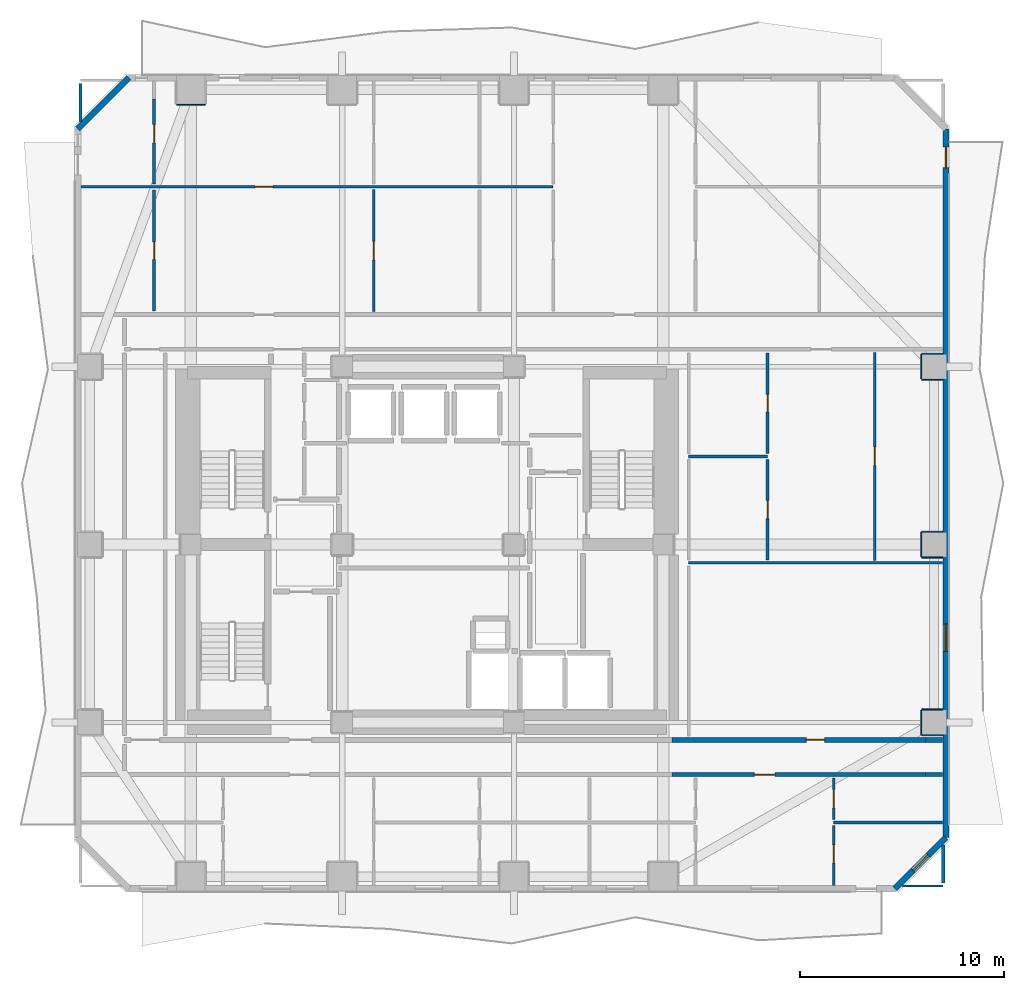
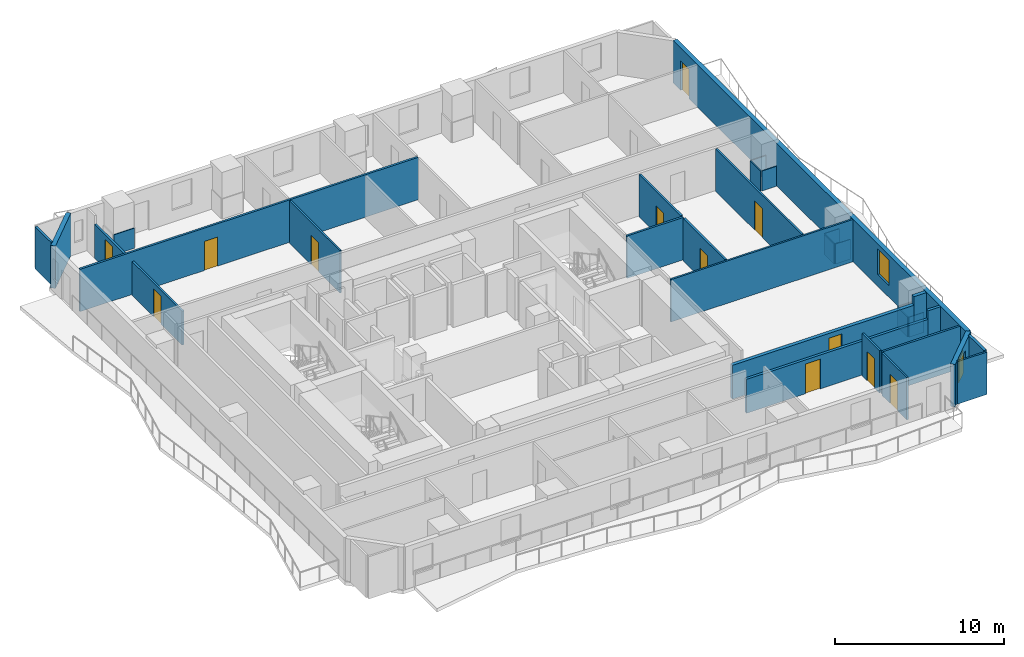
# One storey, part 5 of 11: 32 walls, 12 doors, 2 windows, 14 openings.
"""IFC4 building model written with IfcOpenShell, lengths in metres."""

from ifc_helpers import new_model, si_unit, direction, frame, frame_2d, origin, place, context, subcontext, project, spatial, rectangle, extrude, material, layer, layer_set, type_object, element, fill, save


model = new_model("IFC4")

# Units and contexts
model_context = context("Model", 3, precision=1e-05, world=origin(), true_north=direction((0.0, 1.0)))
body_context = subcontext(model_context, "Body", "Model", "MODEL_VIEW")
ifc_project = project(units=[si_unit("LENGTHUNIT", "METRE"), si_unit("AREAUNIT", "SQUARE_METRE"), si_unit("VOLUMEUNIT", "CUBIC_METRE"), si_unit("PLANEANGLEUNIT", "RADIAN"), si_unit("MASSUNIT", "GRAM", prefix="KILO")], contexts=[model_context])

# Site, building, storey
site_placement = place(None, origin())
site = spatial("IfcSite", under=ifc_project, at=site_placement, CompositionType="ELEMENT")
building_placement = place(site_placement, origin())
building = spatial("IfcBuilding", under=site, at=building_placement, Name="Solanera Arch Residences", CompositionType="ELEMENT")
storey_placement = place(building_placement, frame((0.0, 0.0, 71.800048828125)))
storey = spatial("IfcBuildingStorey", under=building, at=storey_placement, Name="L20", CompositionType="ELEMENT", Elevation=71.800048828125)

# Walls
ifc_material_1 = material(Name="Fire-Rated Gypsum Stud Partition", Category="gypsum")
ifc_layer_1 = layer(ifc_material_1, 0.06005859375)
ifc_layer_set_1 = layer_set([ifc_layer_1], Name="Fire-Rated Gypsum Stud Partition")
wall_type_1 = type_object("IfcWallType", Name="Column Acoustic Furring Wall 60", PredefinedType="PARTITIONING", material=ifc_layer_set_1)
wall_1_placement = place(storey_placement, frame((12.699951171875, 52.218017578125, 0.0), z_axis=(0.0, 0.0, 1.0), x_axis=(1.0, 0.0, 0.0)))
element("IfcWall", 1, at=wall_1_placement, inside=storey, type_object=wall_type_1, Name="L20 Column Furring 10S", PredefinedType="PARTITIONING", context=body_context, shape_type="SweptSolid", body=[
    extrude(rectangle(XDim=1.400146484375, YDim=0.06005859375, at=frame_2d((0.7001953125, 0.0))), origin(), (0.0, 0.0, 1.0), 1.449951171875),
])
for number, where, z_axis, x_axis, name in (
    (2, (49.14990234375, 21.367919921875, 0.0), (0.0, 0.0, 1.0), (1.0, 0.0, 0.0), "L20 Column Furring 18S"),
    (3, (49.14990234375, 22.632080078125, 0.0), (0.0, 0.0, 1.0), (1.0, 0.0, 0.0), "L20 Column Furring 18N"),
):
    element("IfcWall", number, at=place(storey_placement, frame(where, z_axis=z_axis, x_axis=x_axis)), inside=storey, type_object=wall_type_1, Name=name, PredefinedType="PARTITIONING", context=body_context, shape_type="SweptSolid", body=[
        extrude(rectangle(XDim=1.02001953125, YDim=0.06005859375, at=frame_2d((0.510009765625, 0.0))), origin(), (0.0, 0.0, 1.0), 1.449951171875),
    ])
wall_2_placement = place(storey_placement, frame((49.117919921875, 21.39990234375, 0.0), z_axis=(0.0, 0.0, 1.0), x_axis=(0.0, 1.0, 0.0)))
element("IfcWall", 4, at=wall_2_placement, inside=storey, type_object=wall_type_1, Name="L20 Column Furring 18W", PredefinedType="PARTITIONING", context=body_context, shape_type="SweptSolid", body=[
    extrude(rectangle(XDim=1.2001953125, YDim=0.06005859375, at=frame_2d((0.60009765625, 0.0))), origin(), (0.0, 0.0, 1.0), 1.449951171875),
])
for number, where, z_axis, x_axis, name in (
    (5, (49.14990234375, 30.068115234375, 0.0), (0.0, 0.0, 1.0), (1.0, 0.0, 0.0), "L20 Column Furring 20S"),
    (6, (49.14990234375, 31.33203125, 0.0), (0.0, 0.0, 1.0), (1.0, 0.0, 0.0), "L20 Column Furring 20N"),
):
    element("IfcWall", number, at=place(storey_placement, frame(where, z_axis=z_axis, x_axis=x_axis)), inside=storey, type_object=wall_type_1, Name=name, PredefinedType="PARTITIONING", context=body_context, shape_type="SweptSolid", body=[
        extrude(rectangle(XDim=1.02001953125, YDim=0.06005859375, at=frame_2d((0.510009765625, 0.0))), origin(), (0.0, 0.0, 1.0), 1.449951171875),
    ])
wall_3_placement = place(storey_placement, frame((49.117919921875, 30.10009765625, 0.0), z_axis=(0.0, 0.0, 1.0), x_axis=(0.0, 1.0, 0.0)))
element("IfcWall", 7, at=wall_3_placement, inside=storey, type_object=wall_type_1, Name="L20 Column Furring 20W", PredefinedType="PARTITIONING", context=body_context, shape_type="SweptSolid", body=[
    extrude(rectangle(XDim=1.199951171875, YDim=0.06005859375, at=frame_2d((0.60009765625, 0.0))), origin(), (0.0, 0.0, 1.0), 1.449951171875),
])
for number, where, z_axis, x_axis, name in (
    (8, (49.14990234375, 38.76806640625, 0.0), (0.0, 0.0, 1.0), (1.0, 0.0, 0.0), "L20 Column Furring 22S"),
    (9, (49.14990234375, 40.031982421875, 0.0), (0.0, 0.0, 1.0), (1.0, 0.0, 0.0), "L20 Column Furring 22N"),
):
    element("IfcWall", number, at=place(storey_placement, frame(where, z_axis=z_axis, x_axis=x_axis)), inside=storey, type_object=wall_type_1, Name=name, PredefinedType="PARTITIONING", context=body_context, shape_type="SweptSolid", body=[
        extrude(rectangle(XDim=1.02001953125, YDim=0.06005859375, at=frame_2d((0.510009765625, 0.0))), origin(), (0.0, 0.0, 1.0), 1.449951171875),
    ])
wall_4_placement = place(storey_placement, frame((49.117919921875, 38.800048828125, 0.0), z_axis=(0.0, 0.0, 1.0), x_axis=(0.0, 1.0, 0.0)))
element("IfcWall", 10, at=wall_4_placement, inside=storey, type_object=wall_type_1, Name="L20 Column Furring 22W", PredefinedType="PARTITIONING", context=body_context, shape_type="SweptSolid", body=[
    extrude(rectangle(XDim=1.199951171875, YDim=0.06005859375, at=frame_2d((0.60009765625, 0.0))), origin(), (0.0, 0.0, 1.0), 1.449951171875),
])

# Wall, opening, door
ifc_material_2 = material(Name="Autoclaved Aerated Concrete Blockwork", Category="masonry")
ifc_layer_2 = layer(ifc_material_2, 0.179931640625)
ifc_layer_set_2 = layer_set([ifc_layer_2], Name="Autoclaved Aerated Concrete Blockwork")
wall_type_2 = type_object("IfcWallType", Name="Corridor Fire Partition 180", PredefinedType="PARTITIONING", material=ifc_layer_set_2)
wall_5_placement = place(storey_placement, frame((36.928955078125, 19.449951171875, 0.0), z_axis=(0.0, 0.0, 1.0), x_axis=(1.0, 0.0, 0.0)))
wall_5 = element("IfcWall", 11, at=wall_5_placement, inside=storey, type_object=wall_type_2, Name="L20 Interior Partition H6 2", PredefinedType="PARTITIONING", context=body_context, shape_type="SweptSolid", body=[
    extrude(rectangle(XDim=12.39208984375, YDim=0.179931640625, at=frame_2d((6.196044921875, 0.0))), origin(), (0.0, 0.0, 1.0), 2.445068359375),
])
opening_1_placement = place(wall_5_placement, frame((4.031005859375, 0.0, 0.0)))
opening_1 = element("IfcOpeningElement", 12, at=opening_1_placement, cuts=wall_5, Name="Opening DI-01", PredefinedType="OPENING", context=body_context, shape_type="SweptSolid", body=[
    extrude(rectangle(XDim=1.0, YDim=2.14990234375, at=frame_2d((0.5, 1.074951171875))), frame((0.0, 0.10009765625, 0.0), z_axis=(0.0, -1.0, 0.0), x_axis=(1.0, 0.0, 0.0)), (0.0, 0.0, 1.0), 0.1999),
])
ifc_material_3 = material(Name="Fire-Rated Architectural Hardwood", Category="wood")
door_type_1 = type_object("IfcDoorType", Name="Unit Entrance Fire Door DI-01", OperationType="NOTDEFINED", PredefinedType="DOOR", material=ifc_material_3)
door_1_placement = place(opening_1_placement, origin())
door_1 = element("IfcDoor", 13, at=door_1_placement, inside=storey, type_object=door_type_1, Name="DR-L20-IN-020", OperationType="SINGLE_SWING_RIGHT", OverallHeight=2.14990234375, OverallWidth=1.0, PredefinedType="DOOR", context=body_context, shape_type="SweptSolid", body=[
    extrude(rectangle(XDim=1.0, YDim=2.14990234375, at=frame_2d((0.5, 1.074951171875))), frame((0.0, 0.02490234375, 0.0), z_axis=(0.0, -1.0, 0.0), x_axis=(1.0, 0.0, 0.0)), (0.0, 0.0, 1.0), 0.050048828125),
])
fill(opening_1, door_1)

# Walls
wall_6_placement = place(storey_placement, frame((49.321044921875, 19.449951171875, 0.0), z_axis=(0.0, 0.0, 1.0), x_axis=(1.0, 0.0, 0.0)))
element("IfcWall", 14, at=wall_6_placement, inside=storey, type_object=wall_type_2, Name="L20 Interior Partition H6 3", PredefinedType="PARTITIONING", context=body_context, shape_type="SweptSolid", body=[
    extrude(rectangle(XDim=0.85205078125, YDim=0.179931640625, at=frame_2d((0.426025390625, 0.0))), origin(), (0.0, 0.0, 1.0), 3.06005859375),
])
wall_7_placement = place(storey_placement, frame((50.199951171875, 14.157958984375, 0.0), z_axis=(0.0, 0.0, 1.0), x_axis=(0.0, 1.0, 0.0)))
element("IfcWall", 15, at=wall_7_placement, inside=storey, type_object=wall_type_2, Name="L20 Interior Partition V9 1", PredefinedType="PARTITIONING", context=body_context, shape_type="SweptSolid", body=[
    extrude(rectangle(XDim=1.843017578125, YDim=0.179931640625, at=frame_2d((0.92138671875, 0.0))), origin(), (0.0, 0.0, 1.0), 3.06005859375),
])
ifc_material_4 = material(Name="Precast Concrete C35/45", Category="concrete")
ifc_layer_3 = layer(ifc_material_4, 0.300048828125)
ifc_layer_set_3 = layer_set([ifc_layer_3], Name="Precast Concrete C35/45")
wall_type_3 = type_object("IfcWallType", Name="Exterior Wall Precast Masonry-Frame 300", PredefinedType="STANDARD", material=ifc_layer_set_3)
wall_8_placement = place(storey_placement, frame((7.864990234375, 51.034912109375, 0.0), z_axis=(0.0, 0.0, 1.0), x_axis=(0.707106781187, 0.707106781187, 0.0)))
element("IfcWall", 16, at=wall_8_placement, inside=storey, type_object=wall_type_3, Name="L20 Tower Exterior Precast Masonry-Frame Wall CH1", PredefinedType="STANDARD", context=body_context, shape_type="SweptSolid", body=[
    extrude(rectangle(XDim=3.53564453125, YDim=0.300048828125, at=frame_2d((1.767822265625, 0.0))), origin(), (0.0, 0.0, 1.0), 3.06005859375),
])

# Wall, openings, door, window
wall_9_placement = place(storey_placement, frame((50.3349609375, 51.034912109375, 0.0), z_axis=(0.0, 0.0, 1.0), x_axis=(0.0, -1.0, 0.0)))
wall_9 = element("IfcWall", 17, at=wall_9_placement, inside=storey, type_object=wall_type_3, Name="L20 Tower Exterior Precast Masonry-Frame Wall E", PredefinedType="STANDARD", context=body_context, shape_type="SweptSolid", body=[
    extrude(rectangle(XDim=34.669921875, YDim=0.300048828125, at=frame_2d((17.3349609375, 0.0))), origin(), (0.0, 0.0, 1.0), 3.06005859375),
])
opening_2_placement = place(wall_9_placement, frame((0.90087890625, 0.0, 0.0)))
opening_2 = element("IfcOpeningElement", 18, at=opening_2_placement, cuts=wall_9, Name="Opening DB-01", PredefinedType="OPENING", context=body_context, shape_type="SweptSolid", body=[
    extrude(rectangle(XDim=1.0, YDim=2.14990234375, at=frame_2d((0.5, 1.074951171875))), frame((0.0, 0.159912109375, 0.0), z_axis=(0.0, -1.0, 0.0), x_axis=(1.0, 0.0, 0.0)), (0.0, 0.0, 1.0), 0.32),
])
opening_3_placement = place(wall_9_placement, frame((24.2099609375, 0.0, 0.85009765625)))
opening_3 = element("IfcOpeningElement", 19, at=opening_3_placement, cuts=wall_9, Name="Opening W-10", PredefinedType="OPENING", context=body_context, shape_type="SweptSolid", body=[
    extrude(rectangle(XDim=1.35009765625, YDim=1.85009765625, at=frame_2d((0.675048828125, 0.925048828125))), frame((0.0, 0.159912109375, 0.0), z_axis=(0.0, -1.0, 0.0), x_axis=(1.0, 0.0, 0.0)), (0.0, 0.0, 1.0), 0.32),
])
ifc_material_5 = material(Name="Anodised Aluminium Alloy 6063-T6", Category="aluminium")
door_type_2 = type_object("IfcDoorType", Name="Glazed Balcony Swing Door DB-01", OperationType="NOTDEFINED", PredefinedType="DOOR", material=ifc_material_5)
door_2_placement = place(opening_2_placement, origin())
door_2 = element("IfcDoor", 20, at=door_2_placement, inside=storey, type_object=door_type_2, Name="DR-L20-OUT-03", OperationType="SINGLE_SWING_RIGHT", OverallHeight=2.14990234375, OverallWidth=1.0, PredefinedType="DOOR", context=body_context, shape_type="SweptSolid", body=[
    extrude(rectangle(XDim=1.0, YDim=2.14990234375, at=frame_2d((0.5, 1.074951171875))), frame((0.0, 0.02490234375, 0.0), z_axis=(0.0, -1.0, 0.0), x_axis=(1.0, 0.0, 0.0)), (0.0, 0.0, 1.0), 0.050048828125),
])
fill(opening_2, door_2)
ifc_material_6 = material(Name="Double Glazed Low-E Laminated Glass", Category="glass")
window_type_1 = type_object("IfcWindowType", Name="Punched Window W-10", PartitioningType="DOUBLE_PANEL_VERTICAL", PredefinedType="WINDOW", material=ifc_material_6)
window_1_placement = place(opening_3_placement, origin())
window_1 = element("IfcWindow", 21, at=window_1_placement, inside=storey, type_object=window_type_1, Name="L20 AMN-STDE Punched Window", OverallHeight=1.85009765625, OverallWidth=1.35009765625, PartitioningType="SINGLE_PANEL", PredefinedType="WINDOW", context=body_context, shape_type="SweptSolid", body=[
    extrude(rectangle(XDim=1.35009765625, YDim=1.85009765625, at=frame_2d((0.675048828125, 0.925048828125))), frame((0.0, 0.030029296875, 0.0), z_axis=(0.0, -1.0, 0.0), x_axis=(1.0, 0.0, 0.0)), (0.0, 0.0, 1.0), 0.06005859375),
])
fill(opening_3, window_1)

# Wall, opening, window
wall_10_placement = place(storey_placement, frame((50.3349609375, 16.364990234375, 0.0), z_axis=(0.0, 0.0, 1.0), x_axis=(-0.707106781187, -0.707106781187, 0.0)))
wall_10 = element("IfcWall", 22, at=wall_10_placement, inside=storey, type_object=wall_type_3, Name="L20 Tower Exterior Precast Masonry-Frame Wall CH5", PredefinedType="STANDARD", context=body_context, shape_type="SweptSolid", body=[
    extrude(rectangle(XDim=3.53564453125, YDim=0.300048828125, at=frame_2d((1.767822265625, 0.0))), origin(), (0.0, 0.0, 1.0), 3.06005859375),
])
opening_4_placement = place(wall_10_placement, frame((1.219970703125, 0.0, 0.85009765625)))
opening_4 = element("IfcOpeningElement", 23, at=opening_4_placement, cuts=wall_10, Name="Opening W-07", PredefinedType="OPENING", context=body_context, shape_type="SweptSolid", body=[
    extrude(rectangle(XDim=1.050048828125, YDim=1.64990234375, at=frame_2d((0.52490234375, 0.824951171875))), frame((0.0, 0.159912109375, 0.0), z_axis=(0.0, -1.0, 0.0), x_axis=(1.0, 0.0, 0.0)), (0.0, 0.0, 1.0), 0.32),
])
ifc_material_7 = material(Name="Double Glazed Low-E Laminated Glass", Category="glass")
window_type_2 = type_object("IfcWindowType", Name="Punched Window W-07", PartitioningType="SINGLE_PANEL", PredefinedType="WINDOW", material=ifc_material_7)
window_2_placement = place(opening_4_placement, origin())
window_2 = element("IfcWindow", 24, at=window_2_placement, inside=storey, type_object=window_type_2, Name="L20 2002-BR2 Corner Punched Window", OverallHeight=1.64990234375, OverallWidth=1.050048828125, PartitioningType="SINGLE_PANEL", PredefinedType="WINDOW", context=body_context, shape_type="SweptSolid", body=[
    extrude(rectangle(XDim=1.050048828125, YDim=1.64990234375, at=frame_2d((0.52490234375, 0.824951171875))), frame((0.0, 0.030029296875, 0.0), z_axis=(0.0, -1.0, 0.0), x_axis=(1.0, 0.0, 0.0)), (0.0, 0.0, 1.0), 0.06005859375),
])
fill(opening_4, window_2)

# Wall, opening, door
ifc_material_8 = material(Name="Autoclaved Aerated Concrete Blockwork", Category="masonry")
ifc_layer_4 = layer(ifc_material_8, 0.239990234375)
ifc_layer_set_4 = layer_set([ifc_layer_4], Name="Autoclaved Aerated Concrete Blockwork")
wall_type_4 = type_object("IfcWallType", Name="Shaft Wall Fire-Rated 240", PredefinedType="PARTITIONING", material=ifc_layer_set_4)
wall_11_placement = place(storey_placement, frame((36.928955078125, 21.14990234375, 0.0), z_axis=(0.0, 0.0, 1.0), x_axis=(1.0, 0.0, 0.0)))
wall_11 = element("IfcWall", 25, at=wall_11_placement, inside=storey, type_object=wall_type_4, Name="L20 Interior Partition H1 2", PredefinedType="PARTITIONING", context=body_context, shape_type="SweptSolid", body=[
    extrude(rectangle(XDim=12.39208984375, YDim=0.239990234375, at=frame_2d((6.196044921875, 0.0))), origin(), (0.0, 0.0, 1.0), 2.445068359375),
])
opening_5_placement = place(wall_11_placement, frame((6.572021484375, 0.0, 0.0)))
opening_5 = element("IfcOpeningElement", 26, at=opening_5_placement, cuts=wall_11, Name="Opening DI-02", PredefinedType="OPENING", context=body_context, shape_type="SweptSolid", body=[
    extrude(rectangle(XDim=0.89990234375, YDim=2.10009765625, at=frame_2d((0.449951171875, 1.050048828125))), frame((0.0, 0.1298828125, 0.0), z_axis=(0.0, -1.0, 0.0), x_axis=(1.0, 0.0, 0.0)), (0.0, 0.0, 1.0), 0.26),
])
ifc_material_9 = material(Name="Fire-Rated Architectural Hardwood", Category="wood")
door_type_3 = type_object("IfcDoorType", Name="Suite Room Swing Door DI-02", OperationType="NOTDEFINED", PredefinedType="DOOR", material=ifc_material_9)
door_3_placement = place(opening_5_placement, origin())
door_3 = element("IfcDoor", 27, at=door_3_placement, inside=storey, type_object=door_type_3, Name="DR-L20-IN-038", OperationType="SINGLE_SWING_RIGHT", OverallHeight=2.10009765625, OverallWidth=0.89990234375, PredefinedType="DOOR", context=body_context, shape_type="SweptSolid", body=[
    extrude(rectangle(XDim=0.89990234375, YDim=2.10009765625, at=frame_2d((0.449951171875, 1.050048828125))), frame((0.0, 0.02490234375, 0.0), z_axis=(0.0, -1.0, 0.0), x_axis=(1.0, 0.0, 0.0)), (0.0, 0.0, 1.0), 0.050048828125),
])
fill(opening_5, door_3)

# Walls
wall_12_placement = place(storey_placement, frame((49.321044921875, 21.14990234375, 0.0), z_axis=(0.0, 0.0, 1.0), x_axis=(1.0, 0.0, 0.0)))
element("IfcWall", 28, at=wall_12_placement, inside=storey, type_object=wall_type_4, Name="L20 Interior Partition H1 3", PredefinedType="PARTITIONING", context=body_context, shape_type="SweptSolid", body=[
    extrude(rectangle(XDim=0.85205078125, YDim=0.239990234375, at=frame_2d((0.426025390625, 0.0))), origin(), (0.0, 0.0, 1.0), 3.06005859375),
])
ifc_material_10 = material(Name="Fire-Rated Gypsum Stud Partition", Category="gypsum")
ifc_layer_5 = layer(ifc_material_10, 0.1201171875)
ifc_layer_set_5 = layer_set([ifc_layer_5], Name="Fire-Rated Gypsum Stud Partition")
wall_type_5 = type_object("IfcWallType", Name="Unit Drywall Partition 120", PredefinedType="PARTITIONING", material=ifc_layer_set_5)
wall_13_placement = place(storey_placement, frame((48.198974609375, 14.0, 0.0), z_axis=(0.0, 0.0, 1.0), x_axis=(1.0, 0.0, 0.0)))
element("IfcWall", 29, at=wall_13_placement, inside=storey, type_object=wall_type_5, Name="L20 Interior Partition H19 2", PredefinedType="PARTITIONING", context=body_context, shape_type="SweptSolid", body=[
    extrude(rectangle(XDim=2.0009765625, YDim=0.1201171875, at=frame_2d((1.00048828125, 0.0))), origin(), (0.0, 0.0, 1.0), 3.06005859375),
])
wall_14_placement = place(storey_placement, frame((37.75, 29.800048828125, 0.0), z_axis=(0.0, 0.0, 1.0), x_axis=(1.0, 0.0, 0.0)))
element("IfcWall", 30, at=wall_14_placement, inside=storey, type_object=wall_type_5, Name="L20 Interior Partition H20", PredefinedType="PARTITIONING", context=body_context, shape_type="SweptSolid", body=[
    extrude(rectangle(XDim=12.423095703125, YDim=0.1201171875, at=frame_2d((6.21142578125, 0.0))), origin(), (0.0, 0.0, 1.0), 3.06005859375),
])

# Wall, opening, door
wall_15_placement = place(storey_placement, frame((22.35205078125, 42.10791015625, 0.0), z_axis=(0.0, 0.0, 1.0), x_axis=(0.0, 1.0, 0.0)))
wall_15 = element("IfcWall", 31, at=wall_15_placement, inside=storey, type_object=wall_type_5, Name="L20 Interior Partition V23 1", PredefinedType="PARTITIONING", context=body_context, shape_type="SweptSolid", body=[
    extrude(rectangle(XDim=5.9541015625, YDim=0.1201171875, at=frame_2d((2.97705078125, 0.0))), origin(), (0.0, 0.0, 1.0), 3.06005859375),
])
opening_6_placement = place(wall_15_placement, frame((2.51708984375, 0.0, 0.0)))
opening_6 = element("IfcOpeningElement", 32, at=opening_6_placement, cuts=wall_15, Name="Opening DI-02", PredefinedType="OPENING", context=body_context, shape_type="SweptSolid", body=[
    extrude(rectangle(XDim=0.89990234375, YDim=2.10009765625, at=frame_2d((0.449951171875, 1.050048828125))), frame((0.0, 0.070068359375, 0.0), z_axis=(0.0, -1.0, 0.0), x_axis=(1.0, 0.0, 0.0)), (0.0, 0.0, 1.0), 0.1401),
])
door_4_placement = place(opening_6_placement, origin())
door_4 = element("IfcDoor", 33, at=door_4_placement, inside=storey, type_object=door_type_3, Name="DR-L20-IN-029", OperationType="SINGLE_SWING_LEFT", OverallHeight=2.10009765625, OverallWidth=0.89990234375, PredefinedType="DOOR", context=body_context, shape_type="SweptSolid", body=[
    extrude(rectangle(XDim=0.89990234375, YDim=2.10009765625, at=frame_2d((0.449951171875, 1.050048828125))), frame((0.0, 0.02490234375, 0.0), z_axis=(0.0, -1.0, 0.0), x_axis=(1.0, 0.0, 0.0)), (0.0, 0.0, 1.0), 0.050048828125),
])
fill(opening_6, door_4)

wall_16_placement = place(storey_placement, frame((44.8349609375, 14.027099609375, 0.0), z_axis=(0.0, 0.0, 1.0), x_axis=(0.0, 1.0, 0.0)))
wall_16 = element("IfcWall", 34, at=wall_16_placement, inside=storey, type_object=wall_type_5, Name="L20 Interior Partition V25 1", PredefinedType="PARTITIONING", context=body_context, shape_type="SweptSolid", body=[
    extrude(rectangle(XDim=2.94189453125, YDim=0.1201171875, at=frame_2d((1.470947265625, 0.0))), origin(), (0.0, 0.0, 1.0), 3.06005859375),
])
opening_7_placement = place(wall_16_placement, frame((1.089111328125, 0.0, 0.0)))
opening_7 = element("IfcOpeningElement", 35, at=opening_7_placement, cuts=wall_16, Name="Opening DI-03", PredefinedType="OPENING", context=body_context, shape_type="SweptSolid", body=[
    extrude(rectangle(XDim=0.89990234375, YDim=2.10009765625, at=frame_2d((0.449951171875, 1.050048828125))), frame((0.0, 0.070068359375, 0.0), z_axis=(0.0, -1.0, 0.0), x_axis=(1.0, 0.0, 0.0)), (0.0, 0.0, 1.0), 0.1401),
])
ifc_material_11 = material(Name="Fire-Rated Architectural Hardwood", Category="wood")
door_type_4 = type_object("IfcDoorType", Name="Bedroom Swing Door DI-03", OperationType="NOTDEFINED", PredefinedType="DOOR", material=ifc_material_11)
door_5_placement = place(opening_7_placement, origin())
door_5 = element("IfcDoor", 36, at=door_5_placement, inside=storey, type_object=door_type_4, Name="DR-L20-IN-024", OperationType="SINGLE_SWING_RIGHT", OverallHeight=2.10009765625, OverallWidth=0.89990234375, PredefinedType="DOOR", context=body_context, shape_type="SweptSolid", body=[
    extrude(rectangle(XDim=0.89990234375, YDim=2.10009765625, at=frame_2d((0.449951171875, 1.050048828125))), frame((0.0, 0.02490234375, 0.0), z_axis=(0.0, -1.0, 0.0), x_axis=(1.0, 0.0, 0.0)), (0.0, 0.0, 1.0), 0.050048828125),
])
fill(opening_7, door_5)

wall_17_placement = place(storey_placement, frame((44.8349609375, 17.2451171875, 0.0), z_axis=(0.0, 0.0, 1.0), x_axis=(0.0, 1.0, 0.0)))
wall_17 = element("IfcWall", 37, at=wall_17_placement, inside=storey, type_object=wall_type_5, Name="L20 Interior Partition V25 2", PredefinedType="PARTITIONING", context=body_context, shape_type="SweptSolid", body=[
    extrude(rectangle(XDim=2.046875, YDim=0.1201171875, at=frame_2d((1.0234375, 0.0))), origin(), (0.0, 0.0, 1.0), 3.06005859375),
])
opening_8_placement = place(wall_17_placement, frame((0.571044921875, 0.0, 0.0)))
opening_8 = element("IfcOpeningElement", 38, at=opening_8_placement, cuts=wall_17, Name="Opening DI-02", PredefinedType="OPENING", context=body_context, shape_type="SweptSolid", body=[
    extrude(rectangle(XDim=0.89990234375, YDim=2.10009765625, at=frame_2d((0.449951171875, 1.050048828125))), frame((0.0, 0.070068359375, 0.0), z_axis=(0.0, -1.0, 0.0), x_axis=(1.0, 0.0, 0.0)), (0.0, 0.0, 1.0), 0.1401),
])
door_6_placement = place(opening_8_placement, origin())
door_6 = element("IfcDoor", 39, at=door_6_placement, inside=storey, type_object=door_type_3, Name="DR-L20-IN-023", OperationType="SINGLE_SWING_LEFT", OverallHeight=2.10009765625, OverallWidth=0.89990234375, PredefinedType="DOOR", context=body_context, shape_type="SweptSolid", body=[
    extrude(rectangle(XDim=0.89990234375, YDim=2.10009765625, at=frame_2d((0.449951171875, 1.050048828125))), frame((0.0, 0.02490234375, 0.0), z_axis=(0.0, -1.0, 0.0), x_axis=(1.0, 0.0, 0.0)), (0.0, 0.0, 1.0), 0.050048828125),
])
fill(opening_8, door_6)

wall_18_placement = place(storey_placement, frame((46.839111328125, 29.927978515625, 0.0), z_axis=(0.0, 0.0, 1.0), x_axis=(0.0, 1.0, 0.0)))
wall_18 = element("IfcWall", 40, at=wall_18_placement, inside=storey, type_object=wall_type_5, Name="L20 Interior Partition V26", PredefinedType="PARTITIONING", context=body_context, shape_type="SweptSolid", body=[
    extrude(rectangle(XDim=10.1640625, YDim=0.1201171875, at=frame_2d((5.08203125, 0.0))), origin(), (0.0, 0.0, 1.0), 3.06005859375),
])
opening_9_placement = place(wall_18_placement, frame((4.64697265625, 0.0, 0.0)))
opening_9 = element("IfcOpeningElement", 41, at=opening_9_placement, cuts=wall_18, Name="Opening DI-02", PredefinedType="OPENING", context=body_context, shape_type="SweptSolid", body=[
    extrude(rectangle(XDim=0.89990234375, YDim=2.10009765625, at=frame_2d((0.449951171875, 1.050048828125))), frame((0.0, 0.070068359375, 0.0), z_axis=(0.0, -1.0, 0.0), x_axis=(1.0, 0.0, 0.0)), (0.0, 0.0, 1.0), 0.1401),
])
door_7_placement = place(opening_9_placement, origin())
door_7 = element("IfcDoor", 42, at=door_7_placement, inside=storey, type_object=door_type_3, Name="DR-L20-IN-042", OperationType="SINGLE_SWING_RIGHT", OverallHeight=2.10009765625, OverallWidth=0.89990234375, PredefinedType="DOOR", context=body_context, shape_type="SweptSolid", body=[
    extrude(rectangle(XDim=0.89990234375, YDim=2.10009765625, at=frame_2d((0.449951171875, 1.050048828125))), frame((0.0, 0.02490234375, 0.0), z_axis=(0.0, -1.0, 0.0), x_axis=(1.0, 0.0, 0.0)), (0.0, 0.0, 1.0), 0.050048828125),
])
fill(opening_9, door_7)

# Walls
ifc_material_12 = material(Name="Autoclaved Aerated Concrete Blockwork", Category="masonry")
ifc_layer_6 = layer(ifc_material_12, 0.139892578125)
ifc_layer_set_6 = layer_set([ifc_layer_6], Name="Autoclaved Aerated Concrete Blockwork")
wall_type_6 = type_object("IfcWallType", Name="Wet-Room Partition 140", PredefinedType="PARTITIONING", material=ifc_layer_set_6)
wall_19_placement = place(storey_placement, frame((44.8349609375, 17.10693359375, 0.0), z_axis=(0.0, 0.0, 1.0), x_axis=(1.0, 0.0, 0.0)))
element("IfcWall", 43, at=wall_19_placement, inside=storey, type_object=wall_type_6, Name="L20 Interior Partition H14", PredefinedType="PARTITIONING", context=body_context, shape_type="SweptSolid", body=[
    extrude(rectangle(XDim=5.338134765625, YDim=0.139892578125, at=frame_2d((2.6689453125, 0.0))), origin(), (0.0, 0.0, 1.0), 3.06005859375),
])
wall_20_placement = place(storey_placement, frame((37.75, 35.0, 0.0), z_axis=(0.0, 0.0, 1.0), x_axis=(1.0, 0.0, 0.0)))
element("IfcWall", 44, at=wall_20_placement, inside=storey, type_object=wall_type_6, Name="L20 Interior Partition H15", PredefinedType="PARTITIONING", context=body_context, shape_type="SweptSolid", body=[
    extrude(rectangle(XDim=3.860107421875, YDim=0.139892578125, at=frame_2d((1.93017578125, 0.0))), origin(), (0.0, 0.0, 1.0), 3.06005859375),
])

# Wall, opening, door
wall_21_placement = place(storey_placement, frame((8.027099609375, 48.199951171875, 0.0), z_axis=(0.0, 0.0, 1.0), x_axis=(1.0, 0.0, 0.0)))
wall_21 = element("IfcWall", 45, at=wall_21_placement, inside=storey, type_object=wall_type_6, Name="L20 Interior Partition H17", PredefinedType="PARTITIONING", context=body_context, shape_type="SweptSolid", body=[
    extrude(rectangle(XDim=23.096923828125, YDim=0.139892578125, at=frame_2d((11.54833984375, 0.0))), origin(), (0.0, 0.0, 1.0), 3.06005859375),
])
opening_10_placement = place(wall_21_placement, frame((8.5009765625, 0.0, 0.0)))
opening_10 = element("IfcOpeningElement", 46, at=opening_10_placement, cuts=wall_21, Name="Opening DI-02", PredefinedType="OPENING", context=body_context, shape_type="SweptSolid", body=[
    extrude(rectangle(XDim=0.89990234375, YDim=2.10009765625, at=frame_2d((0.449951171875, 1.050048828125))), frame((0.0, 0.079833984375, 0.0), z_axis=(0.0, -1.0, 0.0), x_axis=(1.0, 0.0, 0.0)), (0.0, 0.0, 1.0), 0.1599),
])
door_8_placement = place(opening_10_placement, origin())
door_8 = element("IfcDoor", 47, at=door_8_placement, inside=storey, type_object=door_type_3, Name="DR-L20-IN-026", OperationType="SINGLE_SWING_RIGHT", OverallHeight=2.10009765625, OverallWidth=0.89990234375, PredefinedType="DOOR", context=body_context, shape_type="SweptSolid", body=[
    extrude(rectangle(XDim=0.89990234375, YDim=2.10009765625, at=frame_2d((0.449951171875, 1.050048828125))), frame((0.0, 0.02490234375, 0.0), z_axis=(0.0, -1.0, 0.0), x_axis=(1.0, 0.0, 0.0)), (0.0, 0.0, 1.0), 0.050048828125),
])
fill(opening_10, door_8)

# Wall
wall_22_placement = place(storey_placement, frame((8.0, 51.39892578125, 0.0), z_axis=(0.0, 0.0, 1.0), x_axis=(0.0, 1.0, 0.0)))
element("IfcWall", 48, at=wall_22_placement, inside=storey, type_object=wall_type_6, Name="L20 Interior Partition V11", PredefinedType="PARTITIONING", context=body_context, shape_type="SweptSolid", body=[
    extrude(rectangle(XDim=1.863037109375, YDim=0.139892578125, at=frame_2d((0.931640625, 0.0))), origin(), (0.0, 0.0, 1.0), 3.06005859375),
])

# Wall, opening, door
wall_23_placement = place(storey_placement, frame((11.60400390625, 42.117919921875, 0.0), z_axis=(0.0, 0.0, 1.0), x_axis=(0.0, 1.0, 0.0)))
wall_23 = element("IfcWall", 49, at=wall_23_placement, inside=storey, type_object=wall_type_6, Name="L20 Interior Partition V12 1", PredefinedType="PARTITIONING", context=body_context, shape_type="SweptSolid", body=[
    extrude(rectangle(XDim=5.93408203125, YDim=0.139892578125, at=frame_2d((2.967041015625, 0.0))), origin(), (0.0, 0.0, 1.0), 2.445068359375),
])
opening_11_placement = place(wall_23_placement, frame((2.527099609375, 0.0, 0.0)))
opening_11 = element("IfcOpeningElement", 50, at=opening_11_placement, cuts=wall_23, Name="Opening DI-05", PredefinedType="OPENING", context=body_context, shape_type="SweptSolid", body=[
    extrude(rectangle(XDim=0.860107421875, YDim=2.02001953125, at=frame_2d((0.43017578125, 1.010009765625))), frame((0.0, 0.079833984375, 0.0), z_axis=(0.0, -1.0, 0.0), x_axis=(1.0, 0.0, 0.0)), (0.0, 0.0, 1.0), 0.1599),
])
ifc_material_13 = material(Name="Fire-Rated Architectural Hardwood", Category="wood")
door_type_5 = type_object("IfcDoorType", Name="Bathroom Swing Door DI-05", OperationType="NOTDEFINED", PredefinedType="DOOR", material=ifc_material_13)
door_9_placement = place(opening_11_placement, origin())
door_9 = element("IfcDoor", 51, at=door_9_placement, inside=storey, type_object=door_type_5, Name="DR-L20-IN-027", OperationType="SINGLE_SWING_LEFT", OverallHeight=2.02001953125, OverallWidth=0.860107421875, PredefinedType="DOOR", context=body_context, shape_type="SweptSolid", body=[
    extrude(rectangle(XDim=0.860107421875, YDim=2.02001953125, at=frame_2d((0.43017578125, 1.010009765625))), frame((0.0, 0.02490234375, 0.0), z_axis=(0.0, -1.0, 0.0), x_axis=(1.0, 0.0, 0.0)), (0.0, 0.0, 1.0), 0.050048828125),
])
fill(opening_11, door_9)

wall_24_placement = place(storey_placement, frame((11.60400390625, 48.347900390625, 0.0), z_axis=(0.0, 0.0, 1.0), x_axis=(0.0, 1.0, 0.0)))
wall_24 = element("IfcWall", 52, at=wall_24_placement, inside=storey, type_object=wall_type_6, Name="L20 Interior Partition V12 2", PredefinedType="PARTITIONING", context=body_context, shape_type="SweptSolid", body=[
    extrude(rectangle(XDim=4.135009765625, YDim=0.139892578125, at=frame_2d((2.0673828125, 0.0))), origin(), (0.0, 0.0, 1.0), 2.445068359375),
])
opening_12_placement = place(wall_24_placement, frame((2.001953125, 0.0, 0.0)))
opening_12 = element("IfcOpeningElement", 53, at=opening_12_placement, cuts=wall_24, Name="Opening DI-03", PredefinedType="OPENING", context=body_context, shape_type="SweptSolid", body=[
    extrude(rectangle(XDim=0.89990234375, YDim=2.10009765625, at=frame_2d((0.449951171875, 1.050048828125))), frame((0.0, 0.079833984375, 0.0), z_axis=(0.0, -1.0, 0.0), x_axis=(1.0, 0.0, 0.0)), (0.0, 0.0, 1.0), 0.1599),
])
door_10_placement = place(opening_12_placement, origin())
door_10 = element("IfcDoor", 54, at=door_10_placement, inside=storey, type_object=door_type_4, Name="DR-L20-IN-028", OperationType="SINGLE_SWING_RIGHT", OverallHeight=2.10009765625, OverallWidth=0.89990234375, PredefinedType="DOOR", context=body_context, shape_type="SweptSolid", body=[
    extrude(rectangle(XDim=0.89990234375, YDim=2.10009765625, at=frame_2d((0.449951171875, 1.050048828125))), frame((0.0, 0.02490234375, 0.0), z_axis=(0.0, -1.0, 0.0), x_axis=(1.0, 0.0, 0.0)), (0.0, 0.0, 1.0), 0.050048828125),
])
fill(opening_12, door_10)

wall_25_placement = place(storey_placement, frame((41.610107421875, 29.93798828125, 0.0), z_axis=(0.0, 0.0, 1.0), x_axis=(0.0, 1.0, 0.0)))
wall_25 = element("IfcWall", 55, at=wall_25_placement, inside=storey, type_object=wall_type_6, Name="L20 Interior Partition V21 1", PredefinedType="PARTITIONING", context=body_context, shape_type="SweptSolid", body=[
    extrude(rectangle(XDim=4.9140625, YDim=0.139892578125, at=frame_2d((2.45703125, 0.0))), origin(), (0.0, 0.0, 1.0), 3.06005859375),
])
opening_13_placement = place(wall_25_placement, frame((2.02490234375, 0.0, 0.0)))
opening_13 = element("IfcOpeningElement", 56, at=opening_13_placement, cuts=wall_25, Name="Opening DI-03", PredefinedType="OPENING", context=body_context, shape_type="SweptSolid", body=[
    extrude(rectangle(XDim=0.89990234375, YDim=2.10009765625, at=frame_2d((0.449951171875, 1.050048828125))), frame((0.0, 0.079833984375, 0.0), z_axis=(0.0, -1.0, 0.0), x_axis=(1.0, 0.0, 0.0)), (0.0, 0.0, 1.0), 0.1599),
])
door_11_placement = place(opening_13_placement, origin())
door_11 = element("IfcDoor", 57, at=door_11_placement, inside=storey, type_object=door_type_4, Name="DR-L20-IN-041", OperationType="SINGLE_SWING_LEFT", OverallHeight=2.10009765625, OverallWidth=0.89990234375, PredefinedType="DOOR", context=body_context, shape_type="SweptSolid", body=[
    extrude(rectangle(XDim=0.89990234375, YDim=2.10009765625, at=frame_2d((0.449951171875, 1.050048828125))), frame((0.0, 0.02490234375, 0.0), z_axis=(0.0, -1.0, 0.0), x_axis=(1.0, 0.0, 0.0)), (0.0, 0.0, 1.0), 0.050048828125),
])
fill(opening_13, door_11)

wall_26_placement = place(storey_placement, frame((41.610107421875, 35.14794921875, 0.0), z_axis=(0.0, 0.0, 1.0), x_axis=(0.0, 1.0, 0.0)))
wall_26 = element("IfcWall", 58, at=wall_26_placement, inside=storey, type_object=wall_type_6, Name="L20 Interior Partition V21 2", PredefinedType="PARTITIONING", context=body_context, shape_type="SweptSolid", body=[
    extrude(rectangle(XDim=4.93408203125, YDim=0.139892578125, at=frame_2d((2.467041015625, 0.0))), origin(), (0.0, 0.0, 1.0), 3.06005859375),
])
opening_14_placement = place(wall_26_placement, frame((2.033935546875, 0.0, 0.0)))
opening_14 = element("IfcOpeningElement", 59, at=opening_14_placement, cuts=wall_26, Name="Opening DI-05", PredefinedType="OPENING", context=body_context, shape_type="SweptSolid", body=[
    extrude(rectangle(XDim=0.860107421875, YDim=2.02001953125, at=frame_2d((0.43017578125, 1.010009765625))), frame((0.0, 0.079833984375, 0.0), z_axis=(0.0, -1.0, 0.0), x_axis=(1.0, 0.0, 0.0)), (0.0, 0.0, 1.0), 0.1599),
])
door_12_placement = place(opening_14_placement, origin())
door_12 = element("IfcDoor", 60, at=door_12_placement, inside=storey, type_object=door_type_5, Name="DR-L20-IN-040", OperationType="SINGLE_SWING_RIGHT", OverallHeight=2.02001953125, OverallWidth=0.860107421875, PredefinedType="DOOR", context=body_context, shape_type="SweptSolid", body=[
    extrude(rectangle(XDim=0.860107421875, YDim=2.02001953125, at=frame_2d((0.43017578125, 1.010009765625))), frame((0.0, 0.02490234375, 0.0), z_axis=(0.0, -1.0, 0.0), x_axis=(1.0, 0.0, 0.0)), (0.0, 0.0, 1.0), 0.050048828125),
])
fill(opening_14, door_12)

save(model, "model.ifc")
